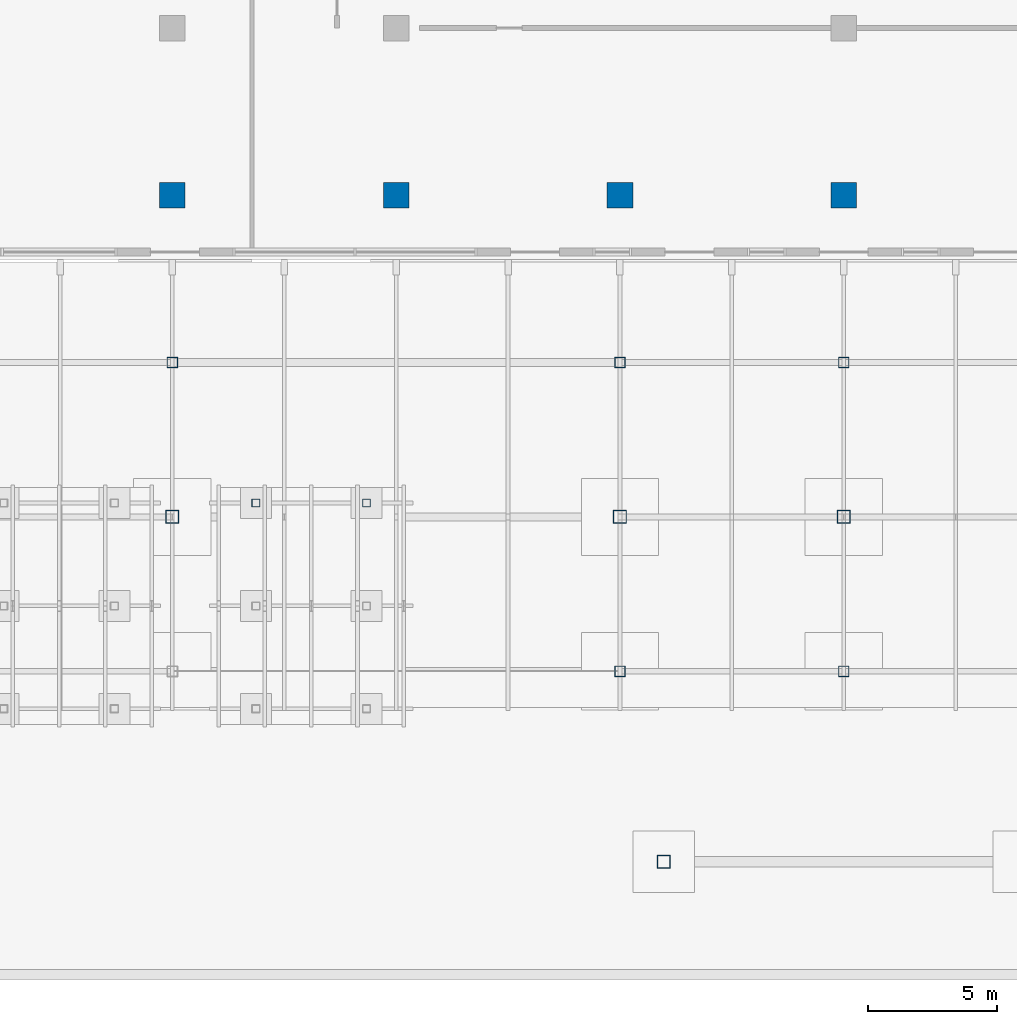
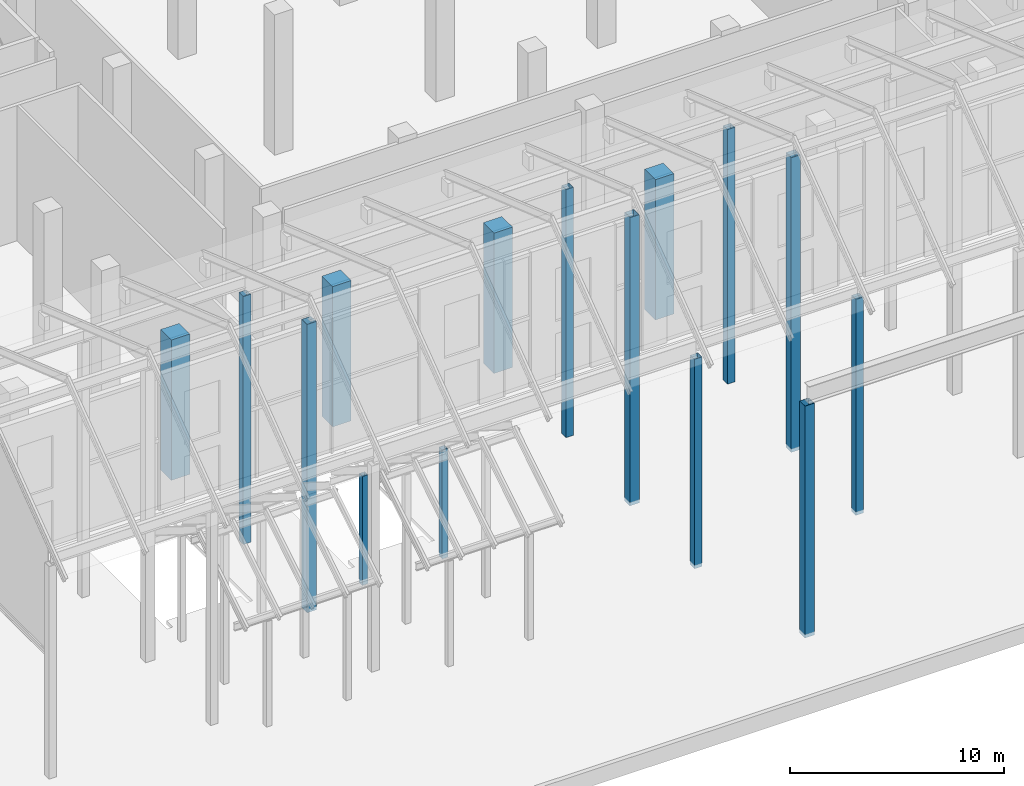
# One storey, part 3 of 31: 15 columns.
"""IFC4 building model written with IfcOpenShell, lengths in metres."""

from ifc_helpers import new_model, si_unit, direction, frame, origin, origin_2d, place, context, subcontext, project, spatial, rectangle, hollow_rectangle, extrude, material, material_profile, profile_set, type_object, element, save


model = new_model("IFC4")

# Units and contexts
model_context = context("Model", 3, precision=1e-05, world=origin(), true_north=direction((0.0, 1.0)))
body_context = subcontext(model_context, "Body", "Model", "MODEL_VIEW")
ifc_project = project(units=[si_unit("LENGTHUNIT", "METRE"), si_unit("AREAUNIT", "SQUARE_METRE"), si_unit("VOLUMEUNIT", "CUBIC_METRE"), si_unit("PLANEANGLEUNIT", "RADIAN"), si_unit("MASSUNIT", "GRAM", prefix="KILO")], contexts=[model_context])

# Site, building, storey
site_placement = place(None, origin())
site = spatial("IfcSite", under=ifc_project, at=site_placement, CompositionType="ELEMENT")
building_placement = place(site_placement, origin())
building = spatial("IfcBuilding", under=site, at=building_placement, Name="Bicima Exchange Tower", CompositionType="ELEMENT")
storey_placement = place(building_placement, origin())
storey = spatial("IfcBuildingStorey", under=building, at=storey_placement, Name="L00", CompositionType="ELEMENT", Elevation=0.0)

# Columns
ifc_material_1 = material(Name="Steel ASTM A572 Gr 50", Category="steel")
ifc_material_profile_1 = material_profile(ifc_material_1, hollow_rectangle(XDim=0.3046875, YDim=0.3046875, WallThickness=0.01171875, at=origin_2d()))
ifc_profile_set_1 = profile_set([ifc_material_profile_1], Name="Steel ASTM A572 Gr 50")
column_type_1 = type_object("IfcColumnType", Name="Pavilion post HSS12x12x1/2", PredefinedType="COLUMN", material=ifc_profile_set_1)
for number, where, z_axis, x_axis, name in (
    (1, (-22.85009765625, -63.4599609375, -0.199951171875), (0.0, 0.0, 1.0), (1.0, 0.0, 0.0), "Pavilion post"),
    (2, (-18.550048828125, -63.4599609375, -0.199951171875), (0.0, 0.0, 1.0), (1.0, 0.0, 0.0), "Pavilion post"),
):
    element("IfcColumn", number, at=place(storey_placement, frame(where, z_axis=z_axis, x_axis=x_axis)), inside=storey, type_object=column_type_1, Name=name, PredefinedType="COLUMN", context=body_context, shape_type="SweptSolid", body=[
        extrude(hollow_rectangle(XDim=0.3046875, YDim=0.3046875, WallThickness=0.01171875, at=origin_2d()), origin(), (0.0, 0.0, 1.0), 6.199951171875),
    ])
ifc_material_profile_2 = material_profile(ifc_material_1, hollow_rectangle(XDim=0.508056640625, YDim=0.508056640625, WallThickness=0.017822265625, at=origin_2d()))
ifc_profile_set_2 = profile_set([ifc_material_profile_2], Name="Steel ASTM A572 Gr 50")
column_type_2 = type_object("IfcColumnType", Name="Portal frame column HSS20x20x3/4", PredefinedType="COLUMN", material=ifc_profile_set_2)
column_1_placement = place(storey_placement, frame((-7.0, -77.39990234375, -0.199951171875), z_axis=(0.0, 0.0, 1.0), x_axis=(1.0, 0.0, 0.0)))
element("IfcColumn", 3, at=column_1_placement, inside=storey, type_object=column_type_2, Name="Portal frame column", PredefinedType="COLUMN", context=body_context, shape_type="SweptSolid", body=[
    extrude(hollow_rectangle(XDim=0.508056640625, YDim=0.508056640625, WallThickness=0.017822265625, at=origin_2d()), origin(), (0.0, 0.0, 1.0), 13.20947265625),
])
ifc_material_profile_3 = material_profile(ifc_material_1, hollow_rectangle(XDim=0.406494140625, YDim=0.406494140625, WallThickness=0.0146484375, at=origin_2d()))
ifc_profile_set_3 = profile_set([ifc_material_profile_3], Name="Steel ASTM A572 Gr 50")
column_type_3 = type_object("IfcColumnType", Name="Portico column HSS16x16x5/8", PredefinedType="COLUMN", material=ifc_profile_set_3)
for number, where, z_axis, x_axis, name in (
    (4, (-26.10009765625, -58.0, 0.0), (0.0, 0.0, 1.0), (1.0, 0.0, 0.0), "Portico column"),
    (5, (-8.699951171875, -58.0, 0.0), (0.0, 0.0, 1.0), (1.0, 0.0, 0.0), "Portico column"),
):
    element("IfcColumn", number, at=place(storey_placement, frame(where, z_axis=z_axis, x_axis=x_axis)), inside=storey, type_object=column_type_3, Name=name, PredefinedType="COLUMN", context=body_context, shape_type="SweptSolid", body=[
        extrude(hollow_rectangle(XDim=0.406494140625, YDim=0.406494140625, WallThickness=0.0146484375, at=origin_2d()), origin(), (0.0, 0.0, 1.0), 14.135986328125),
    ])
column_2_placement = place(storey_placement, frame((0.0, -58.0, 0.0), z_axis=(0.0, 0.0, 1.0), x_axis=(1.0, 0.0, 0.0)))
element("IfcColumn", 6, at=column_2_placement, inside=storey, type_object=column_type_3, Name="Portico column", PredefinedType="COLUMN", context=body_context, shape_type="SweptSolid", body=[
    extrude(hollow_rectangle(XDim=0.406494140625, YDim=0.406494140625, WallThickness=0.0146484375, at=origin_2d()), origin(), (0.0, 0.0, 1.0), 14.504150390625),
])
column_3_placement = place(storey_placement, frame((-8.699951171875, -70.0, -0.199951171875), z_axis=(0.0, 0.0, 1.0), x_axis=(1.0, 0.0, 0.0)))
element("IfcColumn", 7, at=column_3_placement, inside=storey, type_object=column_type_3, Name="Portico column", PredefinedType="COLUMN", context=body_context, shape_type="SweptSolid", body=[
    extrude(hollow_rectangle(XDim=0.406494140625, YDim=0.406494140625, WallThickness=0.0146484375, at=origin_2d()), origin(), (0.0, 0.0, 1.0), 11.94091796875),
])
column_4_placement = place(storey_placement, frame((0.0, -70.0, -0.199951171875), z_axis=(0.0, 0.0, 1.0), x_axis=(1.0, 0.0, 0.0)))
element("IfcColumn", 8, at=column_4_placement, inside=storey, type_object=column_type_3, Name="Portico column", PredefinedType="COLUMN", context=body_context, shape_type="SweptSolid", body=[
    extrude(hollow_rectangle(XDim=0.406494140625, YDim=0.406494140625, WallThickness=0.0146484375, at=origin_2d()), origin(), (0.0, 0.0, 1.0), 12.309326171875),
])
column_type_4 = type_object("IfcColumnType", Name="Portico crown column HSS20x20x3/4", PredefinedType="COLUMN", material=ifc_profile_set_2)
for number, where, z_axis, x_axis, name in (
    (9, (-26.10009765625, -64.0, -0.199951171875), (0.0, 0.0, 1.0), (1.0, 0.0, 0.0), "Portico column"),
    (10, (-8.699951171875, -64.0, -0.199951171875), (0.0, 0.0, 1.0), (1.0, 0.0, 0.0), "Portico column"),
):
    element("IfcColumn", number, at=place(storey_placement, frame(where, z_axis=z_axis, x_axis=x_axis)), inside=storey, type_object=column_type_4, Name=name, PredefinedType="COLUMN", context=body_context, shape_type="SweptSolid", body=[
        extrude(hollow_rectangle(XDim=0.508056640625, YDim=0.508056640625, WallThickness=0.017822265625, at=origin_2d()), origin(), (0.0, 0.0, 1.0), 16.427734375),
    ])
column_5_placement = place(storey_placement, frame((0.0, -64.0, -0.199951171875), z_axis=(0.0, 0.0, 1.0), x_axis=(1.0, 0.0, 0.0)))
element("IfcColumn", 11, at=column_5_placement, inside=storey, type_object=column_type_4, Name="Portico column", PredefinedType="COLUMN", context=body_context, shape_type="SweptSolid", body=[
    extrude(hollow_rectangle(XDim=0.508056640625, YDim=0.508056640625, WallThickness=0.017822265625, at=origin_2d()), origin(), (0.0, 0.0, 1.0), 16.796142578125),
])
ifc_material_2 = material(Name="Concrete C60/75", Category="concrete")
ifc_material_profile_4 = material_profile(ifc_material_2, rectangle(XDim=1.0, YDim=1.0, at=origin_2d()))
ifc_profile_set_4 = profile_set([ifc_material_profile_4], Name="Concrete C60/75")
column_type_5 = type_object("IfcColumnType", Name="Reinforced concrete podium column 1000 x 1000", PredefinedType="COLUMN", material=ifc_profile_set_4)
for number, where, z_axis, x_axis, name in (
    (12, (-26.10009765625, -51.5, 0.0), (0.0, 0.0, 1.0), (1.0, 0.0, 0.0), "Column"),
    (13, (-17.39990234375, -51.5, 0.0), (0.0, 0.0, 1.0), (1.0, 0.0, 0.0), "Column"),
    (14, (-8.699951171875, -51.5, 0.0), (0.0, 0.0, 1.0), (1.0, 0.0, 0.0), "Column"),
    (15, (0.0, -51.5, 0.0), (0.0, 0.0, 1.0), (1.0, 0.0, 0.0), "Column"),
):
    element("IfcColumn", number, at=place(storey_placement, frame(where, z_axis=z_axis, x_axis=x_axis)), inside=storey, type_object=column_type_5, Name=name, PredefinedType="COLUMN", context=body_context, shape_type="SweptSolid", body=[
        extrude(rectangle(XDim=1.0, YDim=1.0, at=origin_2d()), origin(), (0.0, 0.0, 1.0), 8.0),
    ])

save(model, "model.ifc")
